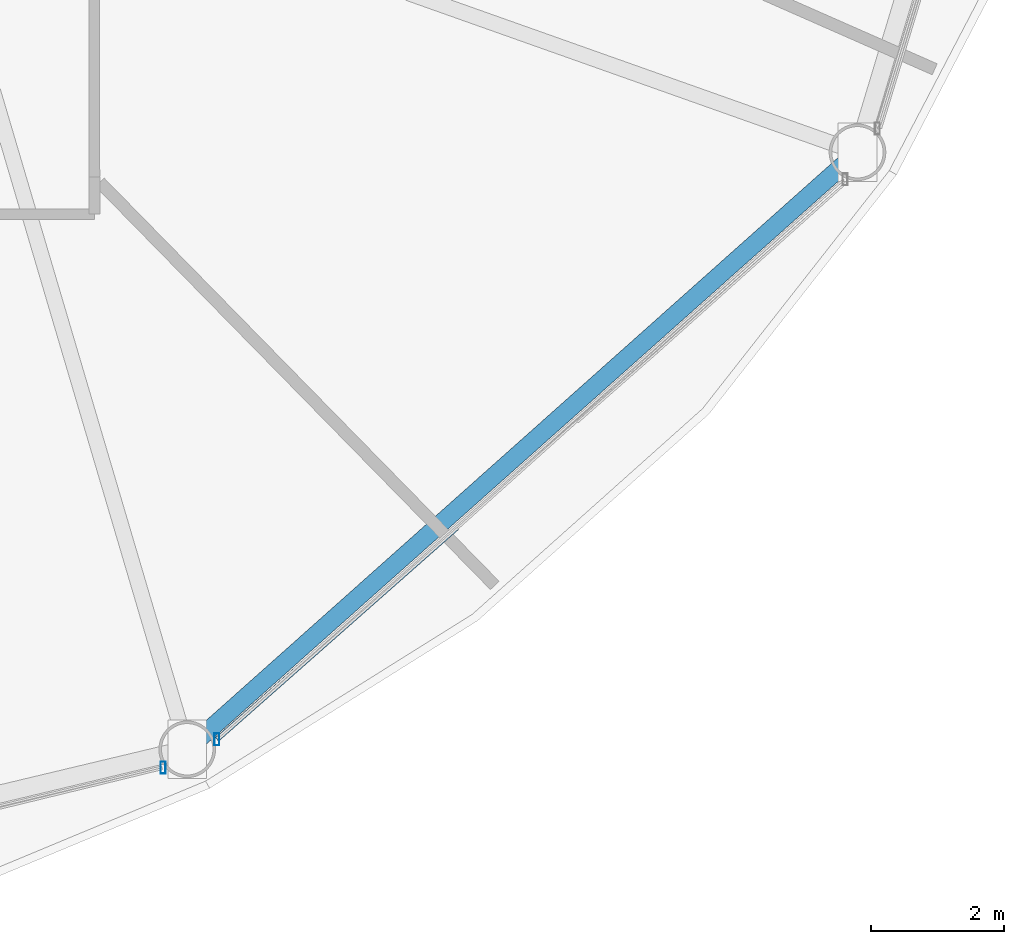
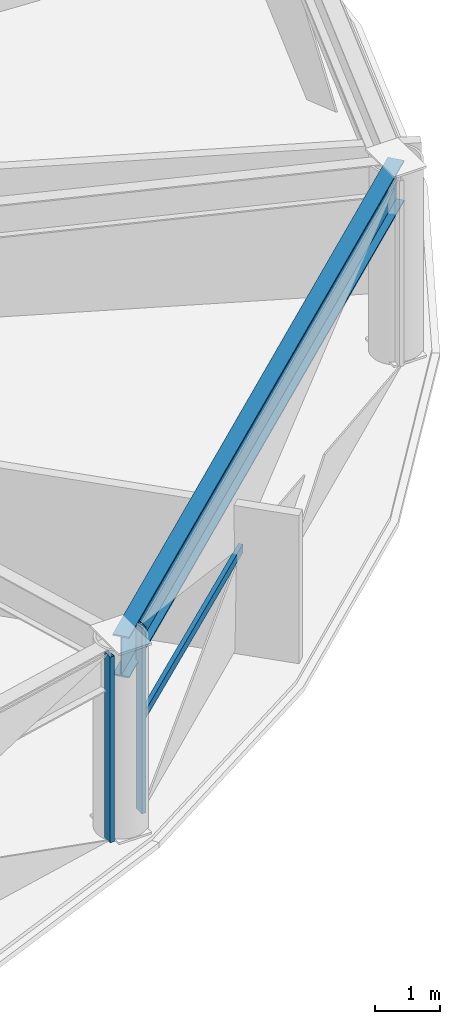
# One storey, part 8 of 29: 3 members, 1 beam, 2 elements without a shape of their own.
"""IFC4 building model written with IfcOpenShell, lengths in metres."""

from ifc_helpers import new_model, si_unit, direction, frame, origin, origin_2d, place, context, subcontext, project, spatial, hollow_rectangle, i_section, extrude, material, layer, layer_set, material_profile, profile_set, type_object, element, aggregate, save


model = new_model("IFC4")

# Units and contexts
model_context = context("Model", 3, precision=1e-05, world=origin(), true_north=direction((0.0, 1.0)))
body_context = subcontext(model_context, "Body", "Model", "MODEL_VIEW")
ifc_project = project(units=[si_unit("LENGTHUNIT", "METRE"), si_unit("AREAUNIT", "SQUARE_METRE"), si_unit("VOLUMEUNIT", "CUBIC_METRE"), si_unit("PLANEANGLEUNIT", "RADIAN"), si_unit("MASSUNIT", "GRAM", prefix="KILO")], contexts=[model_context])

# Site, building, storey
site_placement = place(None, origin())
site = spatial("IfcSite", under=ifc_project, at=site_placement, CompositionType="ELEMENT")
building_placement = place(site_placement, origin())
building = spatial("IfcBuilding", under=site, at=building_placement, Name="Vantalir Tower", CompositionType="ELEMENT")
storey_placement = place(building_placement, frame((0.0, 0.0, 60.75)))
storey = spatial("IfcBuildingStorey", under=building, at=storey_placement, Name="L14", CompositionType="ELEMENT", Elevation=60.75)

# Beam
ifc_material_1 = material(Name="Steel S460", Category="steel")
ifc_material_profile_1 = material_profile(ifc_material_1, i_section(OverallWidth=0.26806640625, OverallDepth=0.77001953125, WebThickness=0.015625, FlangeThickness=0.025390625, at=origin_2d()), Name="Steel S460")
ifc_profile_set_1 = profile_set([ifc_material_profile_1], Name="Steel S460")
beam_type = type_object("IfcBeamType", Name="BM-RG-762x267", PredefinedType="USERDEFINED", material=ifc_profile_set_1)
beam_placement = place(storey_placement, frame((45.22607421875, 3.824951171875, 3.18505859375), z_axis=(0.746729154428, 0.665128235701, 0.0), x_axis=(-0.665128235701, 0.746729154428, 0.0)))
element("IfcBeam", 1, at=beam_placement, inside=storey, type_object=beam_type, Name="L14 Circumferential Ring Girder 11", ObjectType="GIRDER", PredefinedType="USERDEFINED", context=body_context, shape_type="SweptSolid", body=[
    extrude(i_section(OverallWidth=0.26806640625, OverallDepth=0.77001953125, WebThickness=0.015625, FlangeThickness=0.025390625, at=origin_2d()), origin(), (0.0, 0.0, 1.0), 13.45458984375),
])

# Curtain wall, member
ifc_material_2 = material(Name="Champagne-silver PVDF aluminium and double-silver Low-E glass", Category="aluminium")
ifc_layer = layer(ifc_material_2, 0.18994140625)
ifc_layer_set = layer_set([ifc_layer], Name="Champagne-silver PVDF aluminium and double-silver Low-E glass")
curtain_wall_type = type_object("IfcCurtainWallType", Name="CW-DIAMOND-Z1", PredefinedType="USERDEFINED", material=ifc_layer_set)
curtain_wall_1_placement = place(storey_placement, origin())
curtain_wall_1 = element("IfcCurtainWall", 2, at=curtain_wall_1_placement, inside=storey, type_object=curtain_wall_type, Name="L14 Quilted Pyramid-Diamond Curtain Wall S10", ObjectType="UNITISED CURTAIN WALL", PredefinedType="USERDEFINED")
ifc_material_3 = material(Name="Champagne-silver PVDF aluminium 6063-T6", Category="aluminium")
ifc_material_profile_2 = material_profile(ifc_material_3, hollow_rectangle(XDim=0.074951171875, YDim=0.179931640625, WallThickness=0.00390625, at=origin_2d()), Name="Champagne-silver PVDF aluminium 6063-T6")
ifc_profile_set_2 = profile_set([ifc_material_profile_2], Name="Champagne-silver PVDF aluminium 6063-T6")
member_type_1 = type_object("IfcMemberType", Name="CWM-180x75", PredefinedType="MULLION", material=ifc_profile_set_2)
member_1_placement = place(storey_placement, frame((44.864013671875, 3.551025390625, 0.044921875), z_axis=(0.0, 0.0, 1.0), x_axis=(1.0, 0.0, 0.0)))
member_1 = element("IfcMember", 3, at=member_1_placement, type_object=member_type_1, Name="CW-L14-S10 Mullion 2", PredefinedType="MULLION", context=body_context, shape_type="SweptSolid", body=[
    extrude(hollow_rectangle(XDim=0.074951171875, YDim=0.179931640625, WallThickness=0.00390625, at=origin_2d()), origin(), (0.0, 0.0, 1.0), 3.47998046875),
])
aggregate(curtain_wall_1, [member_1])

# Curtain wall, members
curtain_wall_2_placement = place(storey_placement, origin())
curtain_wall_2 = element("IfcCurtainWall", 4, at=curtain_wall_2_placement, inside=storey, type_object=curtain_wall_type, Name="L14 Quilted Pyramid-Diamond Curtain Wall S11", ObjectType="UNITISED CURTAIN WALL", PredefinedType="USERDEFINED")
member_2_placement = place(storey_placement, frame((45.672119140625, 3.972900390625, 0.044921875), z_axis=(0.0, 0.0, 1.0), x_axis=(1.0, 0.0, 0.0)))
member_2 = element("IfcMember", 5, at=member_2_placement, type_object=member_type_1, Name="CW-L14-S11 Mullion 1", PredefinedType="MULLION", context=body_context, shape_type="SweptSolid", body=[
    extrude(hollow_rectangle(XDim=0.074951171875, YDim=0.179931640625, WallThickness=0.00390625, at=origin_2d()), origin(), (0.0, 0.0, 1.0), 3.47998046875),
])
ifc_material_profile_3 = material_profile(ifc_material_3, hollow_rectangle(XDim=0.074951171875, YDim=0.159912109375, WallThickness=0.00390625, at=origin_2d()), Name="Champagne-silver PVDF aluminium 6063-T6")
ifc_profile_set_3 = profile_set([ifc_material_profile_3], Name="Champagne-silver PVDF aluminium 6063-T6")
member_type_2 = type_object("IfcMemberType", Name="CWT-160x75", PredefinedType="USERDEFINED", material=ifc_profile_set_3)
member_3_placement = place(storey_placement, frame((45.672119140625, 3.972900390625, 1.784912109375), z_axis=(0.749828938964, 0.661631742204, 0.0), x_axis=(-0.661631742204, 0.749828938964, 0.0)))
member_3 = element("IfcMember", 6, at=member_3_placement, type_object=member_type_2, Name="CW-L14-S11 Pyramid Fold Ridge Transom", ObjectType="TRANSOM", PredefinedType="USERDEFINED", context=body_context, shape_type="SweptSolid", body=[
    extrude(hollow_rectangle(XDim=0.074951171875, YDim=0.159912109375, WallThickness=0.00390625, at=origin_2d()), origin(), (0.0, 0.0, 1.0), 4.79443359375),
])
aggregate(curtain_wall_2, [member_2, member_3])

save(model, "model.ifc")
